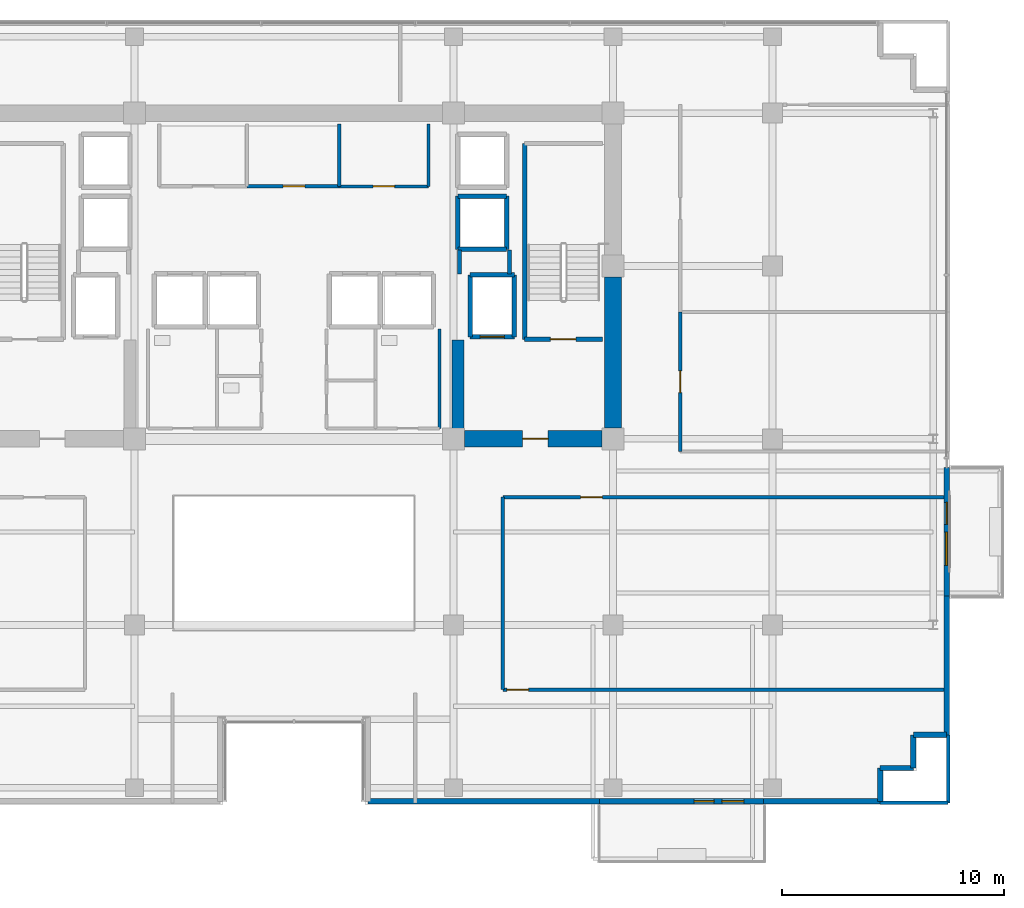
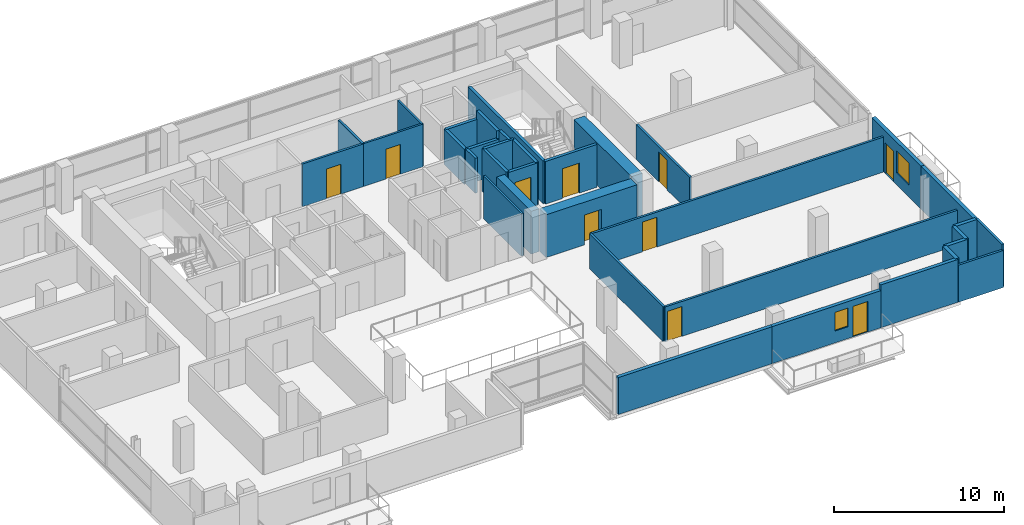
# One storey, part 19 of 24: 35 walls, 10 doors, 2 windows, 12 openings.
"""IFC4 building model written with IfcOpenShell, lengths in metres."""

from ifc_helpers import new_model, si_unit, direction, frame, frame_2d, origin, place, context, subcontext, project, spatial, rectangle, extrude, source, transform, mapped, material, layer, layer_set, type_object, element, fill, save


model = new_model("IFC4")

# Units and contexts
model_context = context("Model", 3, precision=1e-05, world=origin(), true_north=direction((0.0, 1.0)))
body_context = subcontext(model_context, "Body", "Model", "MODEL_VIEW")
ifc_project = project(units=[si_unit("LENGTHUNIT", "METRE"), si_unit("AREAUNIT", "SQUARE_METRE"), si_unit("VOLUMEUNIT", "CUBIC_METRE"), si_unit("PLANEANGLEUNIT", "RADIAN"), si_unit("MASSUNIT", "GRAM", prefix="KILO")], contexts=[model_context])

# Site, building, storey
site_placement = place(None, origin())
site = spatial("IfcSite", under=ifc_project, at=site_placement, CompositionType="ELEMENT")
building_placement = place(site_placement, origin())
building = spatial("IfcBuilding", under=site, at=building_placement, Name="Zarnakvel Exchange Tower", CompositionType="ELEMENT")
storey_placement = place(building_placement, frame((0.0, 0.0, 119.800048828125)))
storey = spatial("IfcBuildingStorey", under=building, at=storey_placement, Name="L33", CompositionType="ELEMENT", Elevation=119.800048828125)

# Wall
ifc_material_1 = material(Name="Concrete C60/75", Category="concrete")
ifc_layer_1 = layer(ifc_material_1, 0.75)
ifc_layer_set_1 = layer_set([ifc_layer_1], Name="Concrete C60/75")
wall_type_1 = type_object("IfcWallType", Name="CW-C3", PredefinedType="SHEAR", material=ifc_layer_set_1)
wall_1_placement = place(storey_placement, frame((14.39990234375, -0.699951171875, 0.0), z_axis=(0.0, 0.0, 1.0), x_axis=(0.0, 1.0, 0.0)))
element("IfcWall", 1, at=wall_1_placement, inside=storey, type_object=wall_type_1, Name="L33 Rear Core Shear Wall E1 (CW-C3)", PredefinedType="SHEAR", context=body_context, shape_type="SweptSolid", body=[
    extrude(rectangle(XDim=6.800048828125, YDim=0.75, at=frame_2d((3.39990234375, 0.0))), origin(), (0.0, 0.0, 1.0), 3.074951171875),
])

# Wall, opening, door
wall_2_placement = place(storey_placement, frame((13.89990234375, -1.199951171875, 0.0), z_axis=(0.0, 0.0, 1.0), x_axis=(-1.0, 0.0, 0.0)))
wall_2 = element("IfcWall", 2, at=wall_2_placement, inside=storey, type_object=wall_type_1, Name="L33 Rear Core Shear Wall SE (CW-C3)", PredefinedType="SHEAR", context=body_context, shape_type="SweptSolid", body=[
    extrude(rectangle(XDim=6.199951171875, YDim=0.75, at=frame_2d((3.10009765625, 0.0))), origin(), (0.0, 0.0, 1.0), 3.074951171875),
])
opening_1_placement = place(wall_2_placement, frame((2.425048828125, 0.0, 0.0)))
opening_1 = element("IfcOpeningElement", 3, at=opening_1_placement, cuts=wall_2, Name="Opening D-L33-04", PredefinedType="OPENING", context=body_context, shape_type="SweptSolid", body=[
    extrude(rectangle(XDim=1.14990234375, YDim=2.14990234375, at=frame_2d((0.574951171875, 1.074951171875))), frame((0.0, 0.385009765625, 0.0), z_axis=(0.0, -1.0, 0.0), x_axis=(1.0, 0.0, 0.0)), (0.0, 0.0, 1.0), 0.77001953125),
])
ifc_material_2 = material(Name="Painted Galvanised Steel S355", Category="steel")
door_type_1 = type_object("IfcDoorType", Name="DT-04", OperationType="NOTDEFINED", PredefinedType="DOOR", material=ifc_material_2)
shared_shape_1 = source(origin(), body_context, "Body", "SweptSolid", [
    extrude(rectangle(XDim=1.14990234375, YDim=2.14990234375, at=frame_2d((0.574951171875, 1.074951171875))), frame((0.0, 0.02490234375, 0.0), z_axis=(0.0, -1.0, 0.0), x_axis=(1.0, 0.0, 0.0)), (0.0, 0.0, 1.0), 0.050048828125),
])
door_1_placement = place(opening_1_placement, origin())
door_1 = element("IfcDoor", 4, at=door_1_placement, inside=storey, type_object=door_type_1, Name="L33 Firefighting Lobby East Door D-L33-04", OperationType="SINGLE_SWING_RIGHT", OverallHeight=2.14990234375, OverallWidth=1.14990234375, PredefinedType="DOOR", context=body_context, shape_type="MappedRepresentation", body=[
    mapped(shared_shape_1, transform((0.0, 0.0, 0.0), x_axis=(1.0, 0.0, 0.0), y_axis=(0.0, 1.0, 0.0), z_axis=(0.0, 0.0, 1.0), scale=1.0)),
])
fill(opening_1, door_1)

# Wall
ifc_layer_2 = layer(ifc_material_1, 0.550048828125)
ifc_layer_set_2 = layer_set([ifc_layer_2], Name="Concrete C60/75")
wall_type_2 = type_object("IfcWallType", Name="CW-C4", PredefinedType="SHEAR", material=ifc_layer_set_2)
wall_3_placement = place(storey_placement, frame((7.39990234375, -0.824951171875, 0.0), z_axis=(0.0, 0.0, 1.0), x_axis=(0.0, 1.0, 0.0)))
element("IfcWall", 5, at=wall_3_placement, inside=storey, type_object=wall_type_2, Name="L33 Rear Core Shear Wall IE (CW-C4)", PredefinedType="SHEAR", context=body_context, shape_type="SweptSolid", body=[
    extrude(rectangle(XDim=4.074951171875, YDim=0.550048828125, at=frame_2d((2.03759765625, 0.0))), origin(), (0.0, 0.0, 1.0), 3.074951171875),
])

# Wall, openings, door, window
ifc_material_3 = material(Name="Precast concrete C40/50", Category="concrete")
ifc_layer_3 = layer(ifc_material_3, 0.239990234375)
ifc_layer_set_3 = layer_set([ifc_layer_3], Name="Precast concrete C40/50")
wall_type_3 = type_object("IfcWallType", Name="EW-02", PredefinedType="SOLIDWALL", material=ifc_layer_set_3)
wall_4_placement = place(storey_placement, frame((21.199951171875, -17.56005859375, 0.0), z_axis=(0.0, 0.0, 1.0), x_axis=(-1.0, 0.0, 0.0)))
wall_4 = element("IfcWall", 6, at=wall_4_placement, inside=storey, type_object=wall_type_3, Name="L33 Exterior Precast Spandrel Wall EW-BAL-L33-SE (EW-02)", PredefinedType="SOLIDWALL", context=body_context, shape_type="SweptSolid", body=[
    extrude(rectangle(XDim=7.39990234375, YDim=0.239990234375, at=frame_2d((3.699951171875, 0.0))), origin(), (0.0, 0.0, 1.0), 2.6650390625),
])
opening_2_placement = place(wall_4_placement, frame((0.887939453125, 0.0, 0.0)))
opening_2 = element("IfcOpeningElement", 7, at=opening_2_placement, cuts=wall_4, Name="Opening BD-L33-02", PredefinedType="OPENING", context=body_context, shape_type="SweptSolid", body=[
    extrude(rectangle(XDim=1.0, YDim=2.199951171875, at=frame_2d((0.5, 1.10009765625))), frame((0.0, 0.1298828125, 0.0), z_axis=(0.0, -1.0, 0.0), x_axis=(1.0, 0.0, 0.0)), (0.0, 0.0, 1.0), 0.260009765625),
])
opening_3_placement = place(wall_4_placement, frame((2.238037109375, 0.0, 0.85009765625)))
opening_3 = element("IfcOpeningElement", 8, at=opening_3_placement, cuts=wall_4, Name="Opening WN-06", PredefinedType="OPENING", context=body_context, shape_type="SweptSolid", body=[
    extrude(rectangle(XDim=0.89990234375, YDim=1.35009765625, at=frame_2d((0.449951171875, 0.675048828125))), frame((0.0, 0.1298828125, 0.0), z_axis=(0.0, -1.0, 0.0), x_axis=(1.0, 0.0, 0.0)), (0.0, 0.0, 1.0), 0.260009765625),
])
ifc_material_4 = material(Name="Architectural Bronze Anodised Aluminium", Category="aluminium")
door_type_2 = type_object("IfcDoorType", Name="DT-09", OperationType="NOTDEFINED", PredefinedType="DOOR", material=ifc_material_4)
shared_shape_2 = source(origin(), body_context, "Body", "SweptSolid", [
    extrude(rectangle(XDim=1.0, YDim=2.199951171875, at=frame_2d((0.5, 1.10009765625))), frame((0.0, 0.02490234375, 0.0), z_axis=(0.0, -1.0, 0.0), x_axis=(1.0, 0.0, 0.0)), (0.0, 0.0, 1.0), 0.050048828125),
])
door_2_placement = place(opening_2_placement, origin())
door_2 = element("IfcDoor", 9, at=door_2_placement, inside=storey, type_object=door_type_2, Name="L33 Planted Loggia Balcony Door BD-L33-02", OperationType="SINGLE_SWING_RIGHT", OverallHeight=2.199951171875, OverallWidth=1.0, PredefinedType="DOOR", context=body_context, shape_type="MappedRepresentation", body=[
    mapped(shared_shape_2, transform((0.0, 0.0, 0.0), x_axis=(1.0, 0.0, 0.0), y_axis=(0.0, 1.0, 0.0), z_axis=(0.0, 0.0, 1.0), scale=1.0)),
])
fill(opening_2, door_2)
ifc_material_5 = material(Name="Double Low-E Laminated Vision Glass", Category="glass")
window_type_1 = type_object("IfcWindowType", Name="WN-06", PartitioningType="SINGLE_PANEL", PredefinedType="WINDOW", material=ifc_material_5)
shared_shape_3 = source(origin(), body_context, "Body", "SweptSolid", [
    extrude(rectangle(XDim=0.89990234375, YDim=1.35009765625, at=frame_2d((0.449951171875, 0.675048828125))), frame((0.0, 0.030029296875, 0.0), z_axis=(0.0, -1.0, 0.0), x_axis=(1.0, 0.0, 0.0)), (0.0, 0.0, 1.0), 0.06005859375),
])
window_1_placement = place(opening_3_placement, origin())
window_1 = element("IfcWindow", 10, at=window_1_placement, inside=storey, type_object=window_type_1, Name="L33 Loggia Daylight Window (WN-06)", OverallHeight=1.35009765625, OverallWidth=0.89990234375, PartitioningType="SINGLE_PANEL", PredefinedType="WINDOW", context=body_context, shape_type="MappedRepresentation", body=[
    mapped(shared_shape_3, transform((0.0, 0.0, 0.0), x_axis=(1.0, 0.0, 0.0), y_axis=(0.0, 1.0, 0.0), z_axis=(0.0, 0.0, 1.0), scale=1.0)),
])
fill(opening_3, window_1)

wall_5_placement = place(storey_placement, frame((29.4599609375, -2.5, 0.0), z_axis=(0.0, 0.0, 1.0), x_axis=(0.0, -1.0, 0.0)))
wall_5 = element("IfcWall", 11, at=wall_5_placement, inside=storey, type_object=wall_type_3, Name="L33 Exterior Precast Spandrel Wall EW-BAL-L33-E (EW-02)", PredefinedType="SOLIDWALL", context=body_context, shape_type="SweptSolid", body=[
    extrude(rectangle(XDim=5.800048828125, YDim=0.239990234375, at=frame_2d((2.89990234375, 0.0))), origin(), (0.0, 0.0, 1.0), 3.074951171875),
])
opening_4_placement = place(wall_5_placement, frame((1.56591796875, 0.0, 0.0)))
opening_4 = element("IfcOpeningElement", 12, at=opening_4_placement, cuts=wall_5, Name="Opening BD-L33-03", PredefinedType="OPENING", context=body_context, shape_type="SweptSolid", body=[
    extrude(rectangle(XDim=1.0, YDim=2.199951171875, at=frame_2d((0.5, 1.10009765625))), frame((0.0, 0.1298828125, 0.0), z_axis=(0.0, -1.0, 0.0), x_axis=(1.0, 0.0, 0.0)), (0.0, 0.0, 1.0), 0.260009765625),
])
opening_5_placement = place(wall_5_placement, frame((2.916015625, 0.0, 0.85009765625)))
opening_5 = element("IfcOpeningElement", 13, at=opening_5_placement, cuts=wall_5, Name="Opening WN-03", PredefinedType="OPENING", context=body_context, shape_type="SweptSolid", body=[
    extrude(rectangle(XDim=1.5, YDim=1.60009765625, at=frame_2d((0.75, 0.800048828125))), frame((0.0, 0.1298828125, 0.0), z_axis=(0.0, -1.0, 0.0), x_axis=(1.0, 0.0, 0.0)), (0.0, 0.0, 1.0), 0.260009765625),
])
door_3_placement = place(opening_4_placement, origin())
door_3 = element("IfcDoor", 14, at=door_3_placement, inside=storey, type_object=door_type_2, Name="L33 Planted Loggia Balcony Door BD-L33-03", OperationType="SINGLE_SWING_LEFT", OverallHeight=2.199951171875, OverallWidth=1.0, PredefinedType="DOOR", context=body_context, shape_type="MappedRepresentation", body=[
    mapped(shared_shape_2, transform((0.0, 0.0, 0.0), x_axis=(1.0, 0.0, 0.0), y_axis=(0.0, 1.0, 0.0), z_axis=(0.0, 0.0, 1.0), scale=1.0)),
])
fill(opening_4, door_3)
window_type_2 = type_object("IfcWindowType", Name="WN-03", PartitioningType="SINGLE_PANEL", PredefinedType="WINDOW", material=ifc_material_5)
shared_shape_4 = source(origin(), body_context, "Body", "SweptSolid", [
    extrude(rectangle(XDim=1.5, YDim=1.60009765625, at=frame_2d((0.75, 0.800048828125))), frame((0.0, 0.030029296875, 0.0), z_axis=(0.0, -1.0, 0.0), x_axis=(1.0, 0.0, 0.0)), (0.0, 0.0, 1.0), 0.06005859375),
])
window_2_placement = place(opening_5_placement, origin())
window_2 = element("IfcWindow", 15, at=window_2_placement, inside=storey, type_object=window_type_2, Name="L33 Loggia Daylight Window (WN-03)", OverallHeight=1.60009765625, OverallWidth=1.5, PartitioningType="SINGLE_PANEL", PredefinedType="WINDOW", context=body_context, shape_type="MappedRepresentation", body=[
    mapped(shared_shape_4, transform((0.0, 0.0, 0.0), x_axis=(1.0, 0.0, 0.0), y_axis=(0.0, 1.0, 0.0), z_axis=(0.0, 0.0, 1.0), scale=1.0)),
])
fill(opening_5, window_2)

# Walls
wall_6_placement = place(storey_placement, frame((29.4599609375, -14.56005859375, 0.0), z_axis=(0.0, 0.0, 1.0), x_axis=(0.0, 1.0, 0.0)))
element("IfcWall", 16, at=wall_6_placement, inside=storey, type_object=wall_type_3, Name="L33 Exterior Precast Spandrel Wall EWC-L33-10 (EW-02)", PredefinedType="SOLIDWALL", context=body_context, shape_type="SweptSolid", body=[
    extrude(rectangle(XDim=6.260009765625, YDim=0.239990234375, at=frame_2d((3.1298828125, 0.0))), origin(), (0.0, 0.0, 1.0), 3.074951171875),
])
for number, where, z_axis, x_axis, name in (
    (17, (27.9599609375, -14.56005859375, 0.0), (0.0, 0.0, 1.0), (1.0, 0.0, 0.0), "L33 Exterior Precast Spandrel Wall EWC-L33-11 (EW-02)"),
    (18, (27.9599609375, -16.06005859375, 0.0), (0.0, 0.0, 1.0), (0.0, 1.0, 0.0), "L33 Exterior Precast Spandrel Wall EWC-L33-12 (EW-02)"),
    (19, (26.4599609375, -16.06005859375, 0.0), (0.0, 0.0, 1.0), (1.0, 0.0, 0.0), "L33 Exterior Precast Spandrel Wall EWC-L33-13 (EW-02)"),
    (20, (26.4599609375, -17.56005859375, 0.0), (0.0, 0.0, 1.0), (0.0, 1.0, 0.0), "L33 Exterior Precast Spandrel Wall EWC-L33-14 (EW-02)"),
):
    element("IfcWall", number, at=place(storey_placement, frame(where, z_axis=z_axis, x_axis=x_axis)), inside=storey, type_object=wall_type_3, Name=name, PredefinedType="SOLIDWALL", context=body_context, shape_type="SweptSolid", body=[
        extrude(rectangle(XDim=1.5, YDim=0.239990234375, at=frame_2d((0.75, 0.0))), origin(), (0.0, 0.0, 1.0), 3.074951171875),
    ])
wall_7_placement = place(storey_placement, frame((21.199951171875, -17.56005859375, 0.0), z_axis=(0.0, 0.0, 1.0), x_axis=(1.0, 0.0, 0.0)))
element("IfcWall", 21, at=wall_7_placement, inside=storey, type_object=wall_type_3, Name="L33 Exterior Precast Spandrel Wall EWC-L33-15 (EW-02)", PredefinedType="SOLIDWALL", context=body_context, shape_type="SweptSolid", body=[
    extrude(rectangle(XDim=5.260009765625, YDim=0.239990234375, at=frame_2d((2.6298828125, 0.0))), origin(), (0.0, 0.0, 1.0), 3.074951171875),
])
wall_8_placement = place(storey_placement, frame((3.340087890625, -17.56005859375, 0.0), z_axis=(0.0, 0.0, 1.0), x_axis=(1.0, 0.0, 0.0)))
element("IfcWall", 22, at=wall_8_placement, inside=storey, type_object=wall_type_3, Name="L33 Exterior Precast Spandrel Wall EWC-L33-16 (EW-02)", PredefinedType="SOLIDWALL", context=body_context, shape_type="SweptSolid", body=[
    extrude(rectangle(XDim=10.4599609375, YDim=0.239990234375, at=frame_2d((5.22998046875, 0.0))), origin(), (0.0, 0.0, 1.0), 2.6650390625),
])

# Wall, opening, door
ifc_material_6 = material(Name="Fire-Rated Gypsum Stud Partition", Category="gypsum")
ifc_layer_4 = layer(ifc_material_6, 0.14990234375)
ifc_layer_set_4 = layer_set([ifc_layer_4], Name="Fire-Rated Gypsum Stud Partition")
wall_type_4 = type_object("IfcWallType", Name="PT-01", PredefinedType="PARTITIONING", material=ifc_layer_set_4)
wall_9_placement = place(storey_placement, frame((2.0400390625, 10.199951171875, 0.0), z_axis=(0.0, 0.0, 1.0), x_axis=(-1.0, 0.0, 0.0)))
wall_9 = element("IfcWall", 23, at=wall_9_placement, inside=storey, type_object=wall_type_4, Name="L33 Partition Wall PWALL-L33-014 (PT-01)", PredefinedType="PARTITIONING", context=body_context, shape_type="SweptSolid", body=[
    extrude(rectangle(XDim=4.16015625, YDim=0.14990234375, at=frame_2d((2.080078125, 0.0))), origin(), (0.0, 0.0, 1.0), 3.074951171875),
])
opening_6_placement = place(wall_9_placement, frame((1.550048828125, 0.0, 0.0)))
opening_6 = element("IfcOpeningElement", 24, at=opening_6_placement, cuts=wall_9, Name="Opening D-L33-06", PredefinedType="OPENING", context=body_context, shape_type="SweptSolid", body=[
    extrude(rectangle(XDim=0.97998046875, YDim=2.14990234375, at=frame_2d((0.489990234375, 1.074951171875))), frame((0.0, 0.0849609375, 0.0), z_axis=(0.0, -1.0, 0.0), x_axis=(1.0, 0.0, 0.0)), (0.0, 0.0, 1.0), 0.169921875),
])
ifc_material_7 = material(Name="Timber Acoustic Veneer", Category="wood")
door_type_3 = type_object("IfcDoorType", Name="DT-05", OperationType="NOTDEFINED", PredefinedType="DOOR", material=ifc_material_7)
shared_shape_5 = source(origin(), body_context, "Body", "SweptSolid", [
    extrude(rectangle(XDim=0.97998046875, YDim=2.14990234375, at=frame_2d((0.489990234375, 1.074951171875))), frame((0.0, 0.02490234375, 0.0), z_axis=(0.0, -1.0, 0.0), x_axis=(1.0, 0.0, 0.0)), (0.0, 0.0, 1.0), 0.050048828125),
])
door_4_placement = place(opening_6_placement, origin())
door_4 = element("IfcDoor", 25, at=door_4_placement, inside=storey, type_object=door_type_3, Name="L33 Brokerage Filing Room Door D-L33-06", OperationType="SINGLE_SWING_RIGHT", OverallHeight=2.14990234375, OverallWidth=0.97998046875, PredefinedType="DOOR", context=body_context, shape_type="MappedRepresentation", body=[
    mapped(shared_shape_5, transform((0.0, 0.0, 0.0), x_axis=(1.0, 0.0, 0.0), y_axis=(0.0, 1.0, 0.0), z_axis=(0.0, 0.0, 1.0), scale=1.0)),
])
fill(opening_6, door_4)

# Wall
wall_10_placement = place(storey_placement, frame((2.0400390625, 13.0, 0.0), z_axis=(0.0, 0.0, 1.0), x_axis=(0.0, -1.0, 0.0)))
element("IfcWall", 26, at=wall_10_placement, inside=storey, type_object=wall_type_4, Name="L33 Partition Wall PWALL-L33-015 (PT-01)", PredefinedType="PARTITIONING", context=body_context, shape_type="SweptSolid", body=[
    extrude(rectangle(XDim=2.800048828125, YDim=0.14990234375, at=frame_2d((1.39990234375, 0.0))), origin(), (0.0, 0.0, 1.0), 3.074951171875),
])

# Wall, opening, door
wall_11_placement = place(storey_placement, frame((29.530029296875, -12.52001953125, 0.0), z_axis=(0.0, 0.0, 1.0), x_axis=(-1.0, 0.0, 0.0)))
wall_11 = element("IfcWall", 27, at=wall_11_placement, inside=storey, type_object=wall_type_4, Name="L33 Partition Wall PWALL-L33-044 (PT-01)", PredefinedType="PARTITIONING", context=body_context, shape_type="SweptSolid", body=[
    extrude(rectangle(XDim=20.10009765625, YDim=0.14990234375, at=frame_2d((10.050048828125, 0.0))), origin(), (0.0, 0.0, 1.0), 2.514892578125),
])
opening_7_placement = place(wall_11_placement, frame((18.93994140625, 0.0, 0.0)))
opening_7 = element("IfcOpeningElement", 28, at=opening_7_placement, cuts=wall_11, Name="Opening D-L33-18", PredefinedType="OPENING", context=body_context, shape_type="SweptSolid", body=[
    extrude(rectangle(XDim=0.97998046875, YDim=2.14990234375, at=frame_2d((0.489990234375, 1.074951171875))), frame((0.0, 0.0849609375, 0.0), z_axis=(0.0, -1.0, 0.0), x_axis=(1.0, 0.0, 0.0)), (0.0, 0.0, 1.0), 0.169921875),
])
door_5_placement = place(opening_7_placement, origin())
door_5 = element("IfcDoor", 29, at=door_5_placement, inside=storey, type_object=door_type_3, Name="L33 Brokerage Office Door D-L33-18", OperationType="SINGLE_SWING_RIGHT", OverallHeight=2.14990234375, OverallWidth=0.97998046875, PredefinedType="DOOR", context=body_context, shape_type="MappedRepresentation", body=[
    mapped(shared_shape_5, transform((0.0, 0.0, 0.0), x_axis=(1.0, 0.0, 0.0), y_axis=(0.0, 1.0, 0.0), z_axis=(0.0, 0.0, 1.0), scale=1.0)),
])
fill(opening_7, door_5)

wall_12_placement = place(storey_placement, frame((9.429931640625, -3.830078125, 0.0), z_axis=(0.0, 0.0, 1.0), x_axis=(1.0, 0.0, 0.0)))
wall_12 = element("IfcWall", 30, at=wall_12_placement, inside=storey, type_object=wall_type_4, Name="L33 Partition Wall PWALL-L33-045 (PT-01)", PredefinedType="PARTITIONING", context=body_context, shape_type="SweptSolid", body=[
    extrude(rectangle(XDim=20.10009765625, YDim=0.14990234375, at=frame_2d((10.050048828125, 0.0))), origin(), (0.0, 0.0, 1.0), 2.514892578125),
])
opening_8_placement = place(wall_12_placement, frame((3.510009765625, 0.0, 0.0)))
opening_8 = element("IfcOpeningElement", 31, at=opening_8_placement, cuts=wall_12, Name="Opening D-L33-17", PredefinedType="OPENING", context=body_context, shape_type="SweptSolid", body=[
    extrude(rectangle(XDim=0.97998046875, YDim=2.14990234375, at=frame_2d((0.489990234375, 1.074951171875))), frame((0.0, 0.0849609375, 0.0), z_axis=(0.0, -1.0, 0.0), x_axis=(1.0, 0.0, 0.0)), (0.0, 0.0, 1.0), 0.169921875),
])
door_6_placement = place(opening_8_placement, origin())
door_6 = element("IfcDoor", 32, at=door_6_placement, inside=storey, type_object=door_type_3, Name="L33 Seminar Room Door D-L33-17", OperationType="SINGLE_SWING_LEFT", OverallHeight=2.14990234375, OverallWidth=0.97998046875, PredefinedType="DOOR", context=body_context, shape_type="MappedRepresentation", body=[
    mapped(shared_shape_5, transform((0.0, 0.0, 0.0), x_axis=(1.0, 0.0, 0.0), y_axis=(0.0, 1.0, 0.0), z_axis=(0.0, 0.0, 1.0), scale=1.0)),
])
fill(opening_8, door_6)

# Walls
wall_13_placement = place(storey_placement, frame((9.429931640625, -12.52001953125, 0.0), z_axis=(0.0, 0.0, 1.0), x_axis=(0.0, 1.0, 0.0)))
element("IfcWall", 33, at=wall_13_placement, inside=storey, type_object=wall_type_4, Name="L33 Partition Wall PWALL-L33-046 (PT-01)", PredefinedType="PARTITIONING", context=body_context, shape_type="SweptSolid", body=[
    extrude(rectangle(XDim=8.68994140625, YDim=0.14990234375, at=frame_2d((4.344970703125, 0.0))), origin(), (0.0, 0.0, 1.0), 2.514892578125),
])
wall_14_placement = place(storey_placement, frame((29.530029296875, -17.6298828125, 0.0), z_axis=(0.0, 0.0, 1.0), x_axis=(-1.0, 0.0, 0.0)))
element("IfcWall", 34, at=wall_14_placement, inside=storey, type_object=wall_type_4, Name="L33 Partition Wall PWALL-L33-048 (PT-01)", PredefinedType="PARTITIONING", context=body_context, shape_type="SweptSolid", body=[
    extrude(rectangle(XDim=3.070068359375, YDim=0.14990234375, at=frame_2d((1.53515625, 0.0))), origin(), (0.0, 0.0, 1.0), 2.6650390625),
])
wall_15_placement = place(storey_placement, frame((29.530029296875, -14.56005859375, 0.0), z_axis=(0.0, 0.0, 1.0), x_axis=(0.0, -1.0, 0.0)))
element("IfcWall", 35, at=wall_15_placement, inside=storey, type_object=wall_type_4, Name="L33 Partition Wall PWALL-L33-050 (PT-01)", PredefinedType="PARTITIONING", context=body_context, shape_type="SweptSolid", body=[
    extrude(rectangle(XDim=3.06982421875, YDim=0.14990234375, at=frame_2d((1.534912109375, 0.0))), origin(), (0.0, 0.0, 1.0), 3.074951171875),
])

# Wall, opening, door
wall_16_placement = place(storey_placement, frame((17.429931640625, -1.77001953125, 0.0), z_axis=(0.0, 0.0, 1.0), x_axis=(0.0, 1.0, 0.0)))
wall_16 = element("IfcWall", 36, at=wall_16_placement, inside=storey, type_object=wall_type_4, Name="L33 Partition Wall PWALL-L33-066 (PT-01)", PredefinedType="PARTITIONING", context=body_context, shape_type="SweptSolid", body=[
    extrude(rectangle(XDim=6.2919921875, YDim=0.14990234375, at=frame_2d((3.14599609375, 0.0))), origin(), (0.0, 0.0, 1.0), 2.514892578125),
])
opening_9_placement = place(wall_16_placement, frame((2.656005859375, 0.0, 0.0)))
opening_9 = element("IfcOpeningElement", 37, at=opening_9_placement, cuts=wall_16, Name="Opening D-L33-23", PredefinedType="OPENING", context=body_context, shape_type="SweptSolid", body=[
    extrude(rectangle(XDim=0.97998046875, YDim=2.14990234375, at=frame_2d((0.489990234375, 1.074951171875))), frame((0.0, 0.0849609375, 0.0), z_axis=(0.0, -1.0, 0.0), x_axis=(1.0, 0.0, 0.0)), (0.0, 0.0, 1.0), 0.169921875),
])
door_7_placement = place(opening_9_placement, origin())
door_7 = element("IfcDoor", 38, at=door_7_placement, inside=storey, type_object=door_type_3, Name="L33 Tea Pantry Door D-L33-23", OperationType="SINGLE_SWING_LEFT", OverallHeight=2.14990234375, OverallWidth=0.97998046875, PredefinedType="DOOR", context=body_context, shape_type="MappedRepresentation", body=[
    mapped(shared_shape_5, transform((0.0, 0.0, 0.0), x_axis=(1.0, 0.0, 0.0), y_axis=(0.0, 1.0, 0.0), z_axis=(0.0, 0.0, 1.0), scale=1.0)),
])
fill(opening_9, door_7)

# Walls
ifc_layer_5 = layer(ifc_material_6, 0.179931640625)
ifc_layer_set_5 = layer_set([ifc_layer_5], Name="Fire-Rated Gypsum Stud Partition")
wall_type_5 = type_object("IfcWallType", Name="PT-02", PredefinedType="PARTITIONING", material=ifc_layer_set_5)
wall_17_placement = place(storey_placement, frame((7.469970703125, 6.239990234375, 0.0), z_axis=(0.0, 0.0, 1.0), x_axis=(0.0, 1.0, 0.0)))
element("IfcWall", 39, at=wall_17_placement, inside=storey, type_object=wall_type_5, Name="L33 Partition Wall PWALL-L33-009 (PT-02)", PredefinedType="PARTITIONING", context=body_context, shape_type="SweptSolid", body=[
    extrude(rectangle(XDim=1.090087890625, YDim=0.179931640625, at=frame_2d((0.544921875, 0.0))), origin(), (0.0, 0.0, 1.0), 2.514892578125),
])
wall_18_placement = place(storey_placement, frame((9.72998046875, 7.330078125, 0.0), z_axis=(0.0, 0.0, 1.0), x_axis=(0.0, -1.0, 0.0)))
element("IfcWall", 40, at=wall_18_placement, inside=storey, type_object=wall_type_5, Name="L33 Partition Wall PWALL-L33-010 (PT-02)", PredefinedType="PARTITIONING", context=body_context, shape_type="SweptSolid", body=[
    extrude(rectangle(XDim=1.090087890625, YDim=0.179931640625, at=frame_2d((0.544921875, 0.0))), origin(), (0.0, 0.0, 1.0), 3.074951171875),
])

# Wall, opening, door
ifc_material_8 = material(Name="Moisture-Resistant Tile-Faced Partition", Category="gypsum")
ifc_layer_6 = layer(ifc_material_8, 0.135009765625)
ifc_layer_set_6 = layer_set([ifc_layer_6], Name="Moisture-Resistant Tile-Faced Partition")
wall_type_6 = type_object("IfcWallType", Name="PT-03", PredefinedType="PARTITIONING", material=ifc_layer_set_6)
wall_19_placement = place(storey_placement, frame((6.080078125, 10.199951171875, 0.0), z_axis=(0.0, 0.0, 1.0), x_axis=(-1.0, 0.0, 0.0)))
wall_19 = element("IfcWall", 41, at=wall_19_placement, inside=storey, type_object=wall_type_6, Name="L33 Partition Wall PWALL-L33-016 (PT-03)", PredefinedType="PARTITIONING", context=body_context, shape_type="SweptSolid", body=[
    extrude(rectangle(XDim=4.0400390625, YDim=0.135009765625, at=frame_2d((2.02001953125, 0.0))), origin(), (0.0, 0.0, 1.0), 3.074951171875),
])
opening_10_placement = place(wall_19_placement, frame((1.530029296875, 0.0, 0.0)))
opening_10 = element("IfcOpeningElement", 42, at=opening_10_placement, cuts=wall_19, Name="Opening D-L33-07", PredefinedType="OPENING", context=body_context, shape_type="SweptSolid", body=[
    extrude(rectangle(XDim=0.97998046875, YDim=2.14990234375, at=frame_2d((0.489990234375, 1.074951171875))), frame((0.0, 0.077392578125, 0.0), z_axis=(0.0, -1.0, 0.0), x_axis=(1.0, 0.0, 0.0)), (0.0, 0.0, 1.0), 0.155029296875),
])
door_8_placement = place(opening_10_placement, origin())
door_8 = element("IfcDoor", 43, at=door_8_placement, inside=storey, type_object=door_type_3, Name="L33 Executive Tea Pantry Door D-L33-07", OperationType="SINGLE_SWING_LEFT", OverallHeight=2.14990234375, OverallWidth=0.97998046875, PredefinedType="DOOR", context=body_context, shape_type="MappedRepresentation", body=[
    mapped(shared_shape_5, transform((0.0, 0.0, 0.0), x_axis=(1.0, 0.0, 0.0), y_axis=(0.0, 1.0, 0.0), z_axis=(0.0, 0.0, 1.0), scale=1.0)),
])
fill(opening_10, door_8)

# Walls
wall_20_placement = place(storey_placement, frame((6.080078125, 13.0, 0.0), z_axis=(0.0, 0.0, 1.0), x_axis=(0.0, -1.0, 0.0)))
element("IfcWall", 44, at=wall_20_placement, inside=storey, type_object=wall_type_6, Name="L33 Partition Wall PWALL-L33-017 (PT-03)", PredefinedType="PARTITIONING", context=body_context, shape_type="SweptSolid", body=[
    extrude(rectangle(XDim=2.800048828125, YDim=0.135009765625, at=frame_2d((1.39990234375, 0.0))), origin(), (0.0, 0.0, 1.0), 3.074951171875),
])
wall_21_placement = place(storey_placement, frame((6.580078125, 3.760009765625, 0.0), z_axis=(0.0, 0.0, 1.0), x_axis=(0.0, -1.0, 0.0)))
element("IfcWall", 45, at=wall_21_placement, inside=storey, type_object=wall_type_6, Name="L33 Partition Wall PWALL-L33-032 (PT-03)", PredefinedType="PARTITIONING", context=body_context, shape_type="SweptSolid", body=[
    extrude(rectangle(XDim=4.489990234375, YDim=0.135009765625, at=frame_2d((2.2451171875, 0.0))), origin(), (0.0, 0.0, 1.0), 3.074951171875),
])

# Wall, opening, door
ifc_material_9 = material(Name="Concrete C40/50", Category="concrete")
ifc_layer_7 = layer(ifc_material_9, 0.199951171875)
ifc_layer_set_7 = layer_set([ifc_layer_7], Name="Concrete C40/50")
wall_type_7 = type_object("IfcWallType", Name="SW-01", PredefinedType="SOLIDWALL", material=ifc_layer_set_7)
wall_22_placement = place(storey_placement, frame((9.949951171875, 3.39990234375, 0.0), z_axis=(0.0, 0.0, 1.0), x_axis=(-1.0, 0.0, 0.0)))
wall_22 = element("IfcWall", 46, at=wall_22_placement, inside=storey, type_object=wall_type_7, Name="L33 FL-02 Hoistway Wall South", PredefinedType="SOLIDWALL", context=body_context, shape_type="SweptSolid", body=[
    extrude(rectangle(XDim=2.0, YDim=0.199951171875, at=frame_2d((1.0, 0.0))), origin(), (0.0, 0.0, 1.0), 3.074951171875),
])
opening_11_placement = place(wall_22_placement, frame((0.449951171875, 0.0, 0.0)))
opening_11 = element("IfcOpeningElement", 47, at=opening_11_placement, cuts=wall_22, Name="Opening LD-FL-02-L33", PredefinedType="OPENING", context=body_context, shape_type="SweptSolid", body=[
    extrude(rectangle(XDim=1.10009765625, YDim=2.199951171875, at=frame_2d((0.550048828125, 1.10009765625))), frame((0.0, 0.10986328125, 0.0), z_axis=(0.0, -1.0, 0.0), x_axis=(1.0, 0.0, 0.0)), (0.0, 0.0, 1.0), 0.219970703125),
])
ifc_material_10 = material(Name="Brushed Stainless Steel", Category="steel")
door_type_4 = type_object("IfcDoorType", Name="LDT-01", OperationType="NOTDEFINED", PredefinedType="DOOR", material=ifc_material_10)
shared_shape_6 = source(origin(), body_context, "Body", "SweptSolid", [
    extrude(rectangle(XDim=1.10009765625, YDim=2.199951171875, at=frame_2d((0.550048828125, 1.10009765625))), frame((0.0, 0.02490234375, 0.0), z_axis=(0.0, -1.0, 0.0), x_axis=(1.0, 0.0, 0.0)), (0.0, 0.0, 1.0), 0.050048828125),
])
door_9_placement = place(opening_11_placement, origin())
door_9 = element("IfcDoor", 48, at=door_9_placement, inside=storey, type_object=door_type_4, Name="L33 FL-02 Lift Landing Door LD-FL-02-L33", OperationType="DOUBLE_DOOR_SLIDING", OverallHeight=2.199951171875, OverallWidth=1.10009765625, PredefinedType="DOOR", context=body_context, shape_type="MappedRepresentation", body=[
    mapped(shared_shape_6, transform((0.0, 0.0, 0.0), x_axis=(1.0, 0.0, 0.0), y_axis=(0.0, 1.0, 0.0), z_axis=(0.0, 0.0, 1.0), scale=1.0)),
])
fill(opening_11, door_9)

# Walls
wall_23_placement = place(storey_placement, frame((7.949951171875, 6.199951171875, 0.0), z_axis=(0.0, 0.0, 1.0), x_axis=(1.0, 0.0, 0.0)))
element("IfcWall", 49, at=wall_23_placement, inside=storey, type_object=wall_type_7, Name="L33 FL-02 Hoistway Wall North", PredefinedType="SOLIDWALL", context=body_context, shape_type="SweptSolid", body=[
    extrude(rectangle(XDim=2.0, YDim=0.199951171875, at=frame_2d((1.0, 0.0))), origin(), (0.0, 0.0, 1.0), 3.074951171875),
])
for number, where, z_axis, x_axis, name in (
    (50, (7.949951171875, 3.39990234375, 0.0), (0.0, 0.0, 1.0), (0.0, 1.0, 0.0), "L33 FL-02 Hoistway Wall West"),
    (51, (9.949951171875, 6.199951171875, 0.0), (0.0, 0.0, 1.0), (0.0, -1.0, 0.0), "L33 FL-02 Hoistway Wall East"),
):
    element("IfcWall", number, at=place(storey_placement, frame(where, z_axis=z_axis, x_axis=x_axis)), inside=storey, type_object=wall_type_7, Name=name, PredefinedType="SOLIDWALL", context=body_context, shape_type="SweptSolid", body=[
        extrude(rectangle(XDim=2.800048828125, YDim=0.199951171875, at=frame_2d((1.39990234375, 0.0))), origin(), (0.0, 0.0, 1.0), 3.074951171875),
    ])
for number, where, z_axis, x_axis, name in (
    (52, (9.60009765625, 7.35009765625, 0.0), (0.0, 0.0, 1.0), (-1.0, 0.0, 0.0), "L33 PL-11 Hoistway Wall South"),
    (53, (7.39990234375, 9.75, 0.0), (0.0, 0.0, 1.0), (1.0, 0.0, 0.0), "L33 PL-11 Hoistway Wall North"),
):
    element("IfcWall", number, at=place(storey_placement, frame(where, z_axis=z_axis, x_axis=x_axis)), inside=storey, type_object=wall_type_7, Name=name, PredefinedType="SOLIDWALL", context=body_context, shape_type="SweptSolid", body=[
        extrude(rectangle(XDim=2.2001953125, YDim=0.199951171875, at=frame_2d((1.10009765625, 0.0))), origin(), (0.0, 0.0, 1.0), 2.514892578125),
    ])
wall_24_placement = place(storey_placement, frame((7.39990234375, 7.35009765625, 0.0), z_axis=(0.0, 0.0, 1.0), x_axis=(0.0, 1.0, 0.0)))
element("IfcWall", 54, at=wall_24_placement, inside=storey, type_object=wall_type_7, Name="L33 PL-11 Hoistway Wall West", PredefinedType="SOLIDWALL", context=body_context, shape_type="SweptSolid", body=[
    extrude(rectangle(XDim=2.39990234375, YDim=0.199951171875, at=frame_2d((1.199951171875, 0.0))), origin(), (0.0, 0.0, 1.0), 2.514892578125),
])
wall_25_placement = place(storey_placement, frame((9.60009765625, 9.75, 0.0), z_axis=(0.0, 0.0, 1.0), x_axis=(0.0, -1.0, 0.0)))
element("IfcWall", 55, at=wall_25_placement, inside=storey, type_object=wall_type_7, Name="L33 PL-11 Hoistway Wall East", PredefinedType="SOLIDWALL", context=body_context, shape_type="SweptSolid", body=[
    extrude(rectangle(XDim=2.39990234375, YDim=0.199951171875, at=frame_2d((1.199951171875, 0.0))), origin(), (0.0, 0.0, 1.0), 3.074951171875),
])

# Wall, opening, door
ifc_layer_8 = layer(ifc_material_9, 0.199951171875)
ifc_layer_set_8 = layer_set([ifc_layer_8], Name="Concrete C40/50")
wall_type_8 = type_object("IfcWallType", Name="SW-02", PredefinedType="SOLIDWALL", material=ifc_layer_set_8)
wall_26_placement = place(storey_placement, frame((13.929931640625, 3.2900390625, 0.0), z_axis=(0.0, 0.0, 1.0), x_axis=(-1.0, 0.0, 0.0)))
wall_26 = element("IfcWall", 56, at=wall_26_placement, inside=storey, type_object=wall_type_8, Name="L33 Stairwell Core Wall PWALL-L33-004 (SW-02)", PredefinedType="SOLIDWALL", context=body_context, shape_type="SweptSolid", body=[
    extrude(rectangle(XDim=3.52001953125, YDim=0.199951171875, at=frame_2d((1.760009765625, 0.0))), origin(), (0.0, 0.0, 1.0), 3.074951171875),
])
opening_12_placement = place(wall_26_placement, frame((1.205078125, 0.0, 0.0)))
opening_12 = element("IfcOpeningElement", 57, at=opening_12_placement, cuts=wall_26, Name="Opening D-L33-02", PredefinedType="OPENING", context=body_context, shape_type="SweptSolid", body=[
    extrude(rectangle(XDim=1.14990234375, YDim=2.14990234375, at=frame_2d((0.574951171875, 1.074951171875))), frame((0.0, 0.10986328125, 0.0), z_axis=(0.0, -1.0, 0.0), x_axis=(1.0, 0.0, 0.0)), (0.0, 0.0, 1.0), 0.219970703125),
])
door_10_placement = place(opening_12_placement, origin())
door_10 = element("IfcDoor", 58, at=door_10_placement, inside=storey, type_object=door_type_1, Name="L33 Stairwell ST-02 Door D-L33-02", OperationType="SINGLE_SWING_RIGHT", OverallHeight=2.14990234375, OverallWidth=1.14990234375, PredefinedType="DOOR", context=body_context, shape_type="MappedRepresentation", body=[
    mapped(shared_shape_1, transform((0.0, 0.0, 0.0), x_axis=(1.0, 0.0, 0.0), y_axis=(0.0, 1.0, 0.0), z_axis=(0.0, 0.0, 1.0), scale=1.0)),
])
fill(opening_12, door_10)

# Wall
wall_27_placement = place(storey_placement, frame((10.409912109375, 3.2900390625, 0.0), z_axis=(0.0, 0.0, 1.0), x_axis=(0.0, 1.0, 0.0)))
element("IfcWall", 59, at=wall_27_placement, inside=storey, type_object=wall_type_8, Name="L33 Stairwell Core Wall PWALL-L33-006 (SW-02)", PredefinedType="SOLIDWALL", context=body_context, shape_type="SweptSolid", body=[
    extrude(rectangle(XDim=8.83984375, YDim=0.199951171875, at=frame_2d((4.419921875, 0.0))), origin(), (0.0, 0.0, 1.0), 3.074951171875),
])

save(model, "model.ifc")
